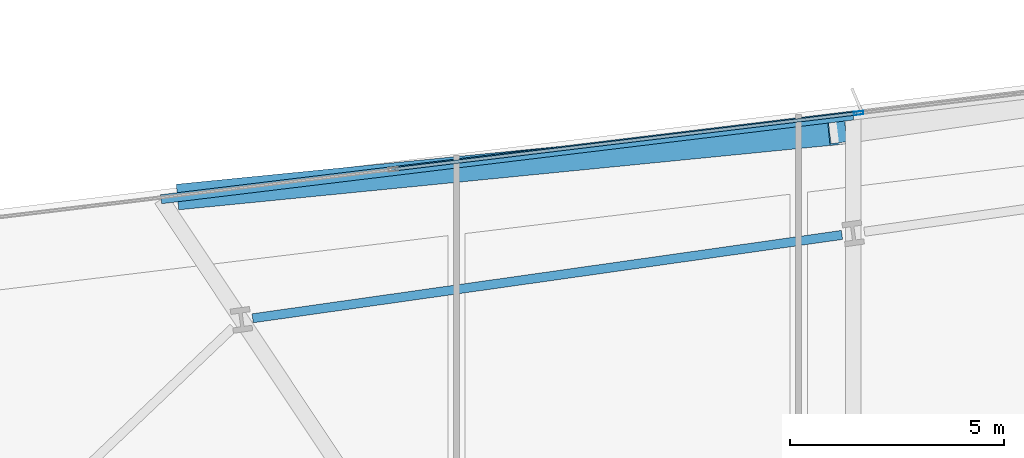
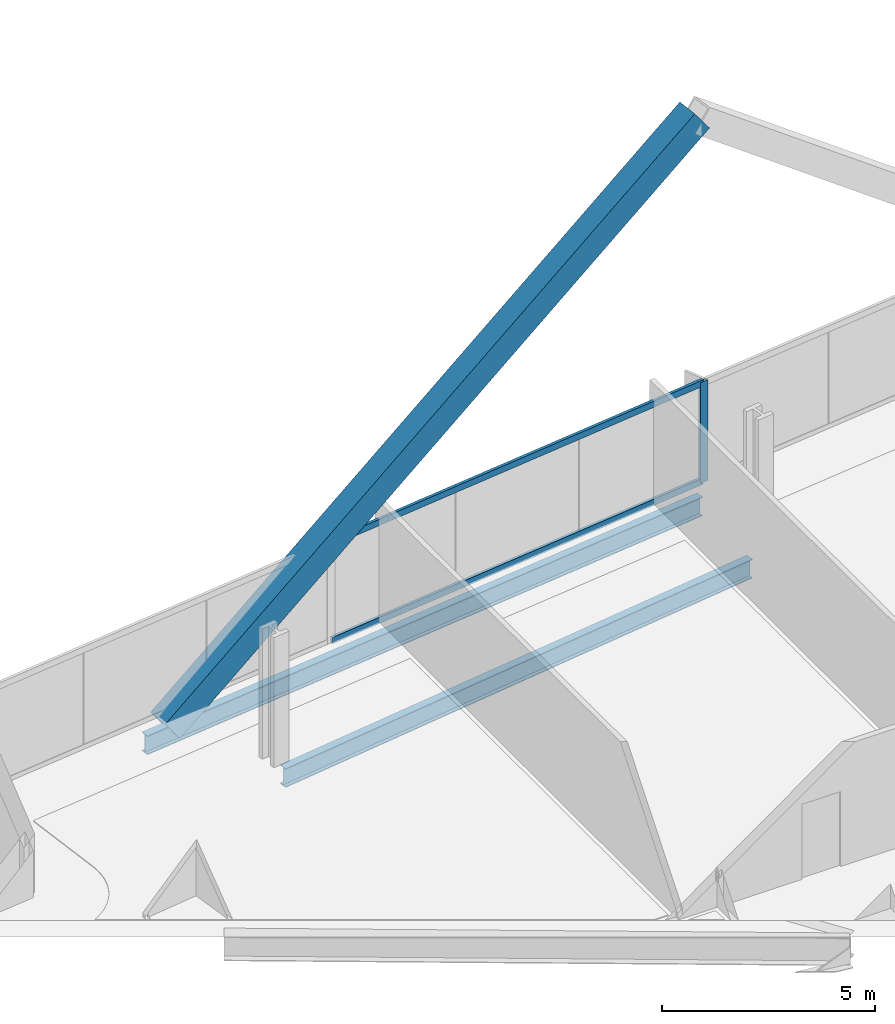
# One storey, part 19 of 33: 4 members, 2 beams, 1 element without a shape of its own.
"""IFC4 building model written with IfcOpenShell, lengths in metres."""

from ifc_helpers import new_model, si_unit, direction, frame, origin, origin_2d, place, context, subcontext, project, spatial, hollow_rectangle, i_section, extrude, material, material_profile, profile_set, type_object, element, aggregate, save


model = new_model("IFC4")

# Units and contexts
model_context = context("Model", 3, precision=1e-05, world=origin(), true_north=direction((0.0, 1.0)))
body_context = subcontext(model_context, "Body", "Model", "MODEL_VIEW")
ifc_project = project(units=[si_unit("LENGTHUNIT", "METRE"), si_unit("AREAUNIT", "SQUARE_METRE"), si_unit("VOLUMEUNIT", "CUBIC_METRE"), si_unit("PLANEANGLEUNIT", "RADIAN"), si_unit("MASSUNIT", "GRAM", prefix="KILO")], contexts=[model_context])

# Site, building, storey
site_placement = place(None, origin())
site = spatial("IfcSite", under=ifc_project, at=site_placement, CompositionType="ELEMENT")
building_placement = place(site_placement, origin())
building = spatial("IfcBuilding", under=site, at=building_placement, Name="Haldenkirk Collegiate Tower", CompositionType="ELEMENT")
storey_placement = place(building_placement, frame((0.0, 0.0, 51.449951171875)))
storey = spatial("IfcBuildingStorey", under=building, at=storey_placement, Name="L11", CompositionType="ELEMENT", Elevation=51.449951171875)

# Beams
ifc_material_1 = material(Name="Steel ASTM A992 Grade 50", Category="steel")
ifc_material_profile_1 = material_profile(ifc_material_1, i_section(OverallWidth=0.2119140625, OverallDepth=0.5439453125, WebThickness=0.01318359375, FlangeThickness=0.021240234375, at=origin_2d()), Name="W21X83")
ifc_profile_set_1 = profile_set([ifc_material_profile_1], Name="Steel ASTM A992 Grade 50")
beam_type = type_object("IfcBeamType", Name="BM-SPANDREL-W21X83", PredefinedType="SPANDREL", material=ifc_profile_set_1)
beam_1_placement = place(storey_placement, frame((32.51025390625, 48.785888671875, -0.58203125), z_axis=(-0.990146197746, -0.14003752029, 0.0), x_axis=(0.14003752029, -0.990146197746, 0.0)))
element("IfcBeam", 1, at=beam_1_placement, inside=storey, type_object=beam_type, Name="L11 perimeter spandrel beam 11", PredefinedType="SPANDREL", context=body_context, shape_type="SweptSolid", body=[
    extrude(i_section(OverallWidth=0.2119140625, OverallDepth=0.5439453125, WebThickness=0.01318359375, FlangeThickness=0.021240234375, at=origin_2d()), origin(), (0.0, 0.0, 1.0), 13.906982421875),
])
beam_2_placement = place(storey_placement, frame((32.772216796875, 51.577392578125, -0.58203125), z_axis=(-0.99275790629, -0.120132175118, 0.0), x_axis=(0.120132175118, -0.99275790629, 0.0)))
element("IfcBeam", 2, at=beam_2_placement, inside=storey, type_object=beam_type, Name="L11 outer facade edge beam 3B", PredefinedType="SPANDREL", context=body_context, shape_type="SweptSolid", body=[
    extrude(i_section(OverallWidth=0.2119140625, OverallDepth=0.5439453125, WebThickness=0.01318359375, FlangeThickness=0.021240234375, at=origin_2d()), origin(), (0.0, 0.0, 1.0), 16.28857421875),
])

# Curtain wall, members
ifc_material_2 = material(Name="Anodised architectural bronze aluminium", Category="aluminium")
curtain_wall_type = type_object("IfcCurtainWallType", Name="CW-SYS1-CONVEX-LOW", PredefinedType="USERDEFINED", material=ifc_material_2)
curtain_wall_placement = place(storey_placement, origin())
curtain_wall = element("IfcCurtainWall", 3, at=curtain_wall_placement, inside=storey, type_object=curtain_wall_type, Name="L11 Lower tower convex bronze-framed unitised curtain wall", ObjectType="UNITISED CURTAIN WALL", PredefinedType="USERDEFINED")
ifc_material_profile_2 = material_profile(ifc_material_2, hollow_rectangle(XDim=0.080078125, YDim=0.219970703125, WallThickness=0.0048828125, at=origin_2d()), Name="CW-MUL-1A")
ifc_profile_set_2 = profile_set([ifc_material_profile_2], Name="Anodised architectural bronze aluminium")
member_type_1 = type_object("IfcMemberType", Name="CW-MUL-1A", PredefinedType="MULLION", material=ifc_profile_set_2)
member_1_placement = place(storey_placement, frame((32.89794921875, 51.633056640625, 0.0), z_axis=(0.0, 0.0, 1.0), x_axis=(-0.120137179083, 0.992757300755, 0.0)))
member_1 = element("IfcMember", 4, at=member_1_placement, type_object=member_type_1, Name="CW-1A mullion 3", PredefinedType="MULLION", context=body_context, shape_type="SweptSolid", body=[
    extrude(hollow_rectangle(XDim=0.080078125, YDim=0.219970703125, WallThickness=0.0048828125, at=origin_2d()), origin(), (0.0, 0.0, 1.0), 2.89111328125),
])
ifc_material_profile_3 = material_profile(ifc_material_2, hollow_rectangle(XDim=0.080078125, YDim=0.179931640625, WallThickness=0.0048828125, at=origin_2d()), Name="CW-TRN-1A")
ifc_profile_set_3 = profile_set([ifc_material_profile_3], Name="Anodised architectural bronze aluminium")
member_type_2 = type_object("IfcMemberType", Name="CW-TRN-1A", PredefinedType="USERDEFINED", material=ifc_profile_set_3)
member_2_placement = place(storey_placement, frame((22.067138671875, 50.322265625, 0.0400390625), z_axis=(0.99275709744, 0.120138859171, 0.0), x_axis=(-0.120138859171, 0.99275709744, 0.0)))
member_2 = element("IfcMember", 5, at=member_2_placement, type_object=member_type_2, Name="CW-1A transom 2.1", ObjectType="TRANSOM", PredefinedType="USERDEFINED", context=body_context, shape_type="SweptSolid", body=[
    extrude(hollow_rectangle(XDim=0.080078125, YDim=0.179931640625, WallThickness=0.0048828125, at=origin_2d()), origin(), (0.0, 0.0, 1.0), 10.869873046875),
])
member_3_placement = place(storey_placement, frame((22.067138671875, 50.322265625, 2.85107421875), z_axis=(0.99275709744, 0.120138859171, 0.0), x_axis=(-0.120138859171, 0.99275709744, 0.0)))
member_3 = element("IfcMember", 6, at=member_3_placement, type_object=member_type_2, Name="CW-1A transom 2.2", ObjectType="TRANSOM", PredefinedType="USERDEFINED", context=body_context, shape_type="SweptSolid", body=[
    extrude(hollow_rectangle(XDim=0.080078125, YDim=0.179931640625, WallThickness=0.0048828125, at=origin_2d()), origin(), (0.0, 0.0, 1.0), 10.869873046875),
])
aggregate(curtain_wall, [member_1, member_2, member_3])

# Member
ifc_material_3 = material(Name="Steel ASTM A572 Grade 50", Category="steel")
ifc_material_profile_4 = material_profile(ifc_material_3, hollow_rectangle(XDim=0.60009765625, YDim=0.719970703125, WallThickness=0.044921875, at=origin_2d()), Name="BOX720X600X45")
ifc_profile_set_4 = profile_set([ifc_material_profile_4], Name="Steel ASTM A572 Grade 50")
member_type_3 = type_object("IfcMemberType", Name="MBR-MEGABRACE-BOX720X600X45", PredefinedType="BRACE", material=ifc_profile_set_4)
member_4_placement = place(storey_placement, frame((17.197265625, 49.692626953125, -0.320068359375), z_axis=(0.801567549852, 0.079172881458, 0.59263911267), x_axis=(-0.098294246681, 0.995157395124, 0.0)))
element("IfcMember", 7, at=member_4_placement, inside=storey, type_object=member_type_3, Name="Perimeter Mega Brace Z1 L11-L13 NR", PredefinedType="BRACE", context=body_context, shape_type="SweptSolid", body=[
    extrude(hollow_rectangle(XDim=0.60009765625, YDim=0.719970703125, WallThickness=0.044921875, at=origin_2d()), origin(), (0.0, 0.0, 1.0), 18.98291015625),
])

save(model, "model.ifc")
